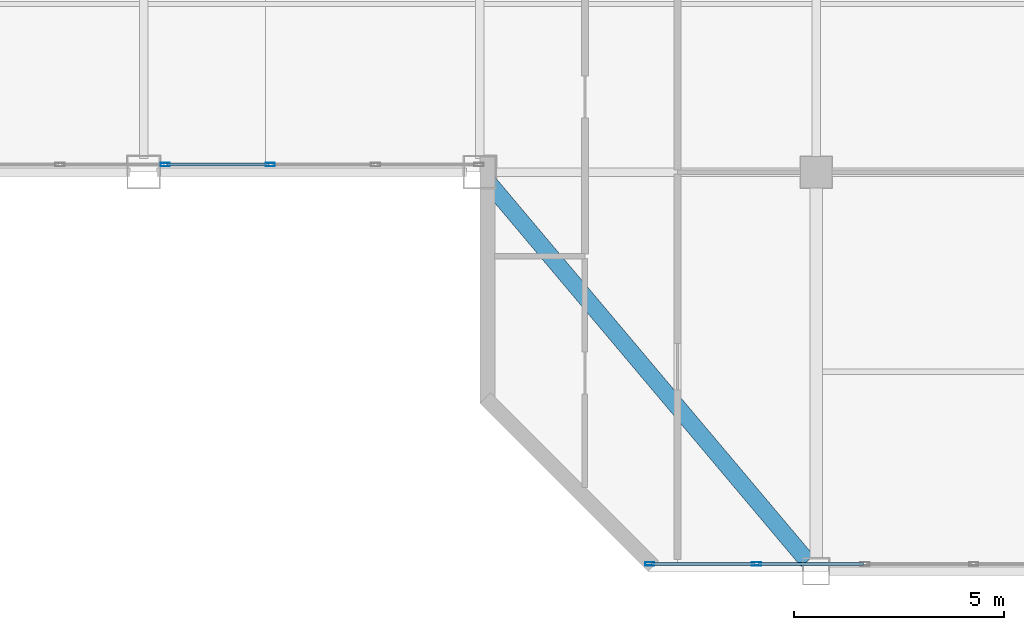
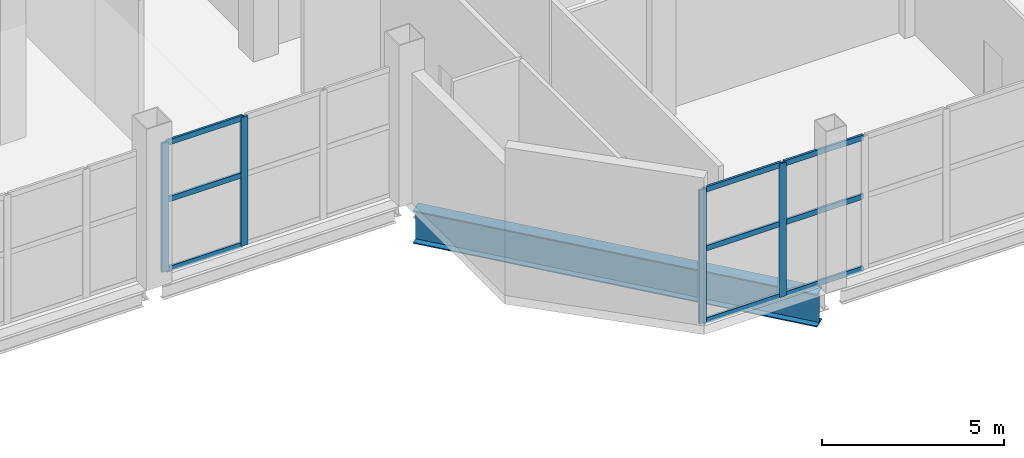
# One storey, part 3 of 16: 13 members, 1 beam, 2 elements without a shape of their own.
"""IFC4 building model written with IfcOpenShell, lengths in metres."""

from ifc_helpers import new_model, si_unit, direction, frame, origin, origin_2d, place, context, subcontext, project, spatial, hollow_rectangle, i_section, extrude, material, layer, layer_set, material_profile, profile_set, type_object, element, aggregate, save


model = new_model("IFC4")

# Units and contexts
model_context = context("Model", 3, precision=1e-05, world=origin(), true_north=direction((0.0, 1.0)))
body_context = subcontext(model_context, "Body", "Model", "MODEL_VIEW")
ifc_project = project(units=[si_unit("LENGTHUNIT", "METRE"), si_unit("AREAUNIT", "SQUARE_METRE"), si_unit("VOLUMEUNIT", "CUBIC_METRE"), si_unit("PLANEANGLEUNIT", "RADIAN"), si_unit("MASSUNIT", "GRAM", prefix="KILO")], contexts=[model_context])

# Site, building, storey
site_placement = place(None, origin())
site = spatial("IfcSite", under=ifc_project, at=site_placement, CompositionType="ELEMENT")
building_placement = place(site_placement, origin())
building = spatial("IfcBuilding", under=site, at=building_placement, Name="Qianrong Seaharbour Tower", CompositionType="ELEMENT")
storey_placement = place(building_placement, frame((0.0, 0.0, 378.39990234375)))
storey = spatial("IfcBuildingStorey", under=building, at=storey_placement, Name="L91", CompositionType="ELEMENT", Elevation=378.39990234375)

# Beam
ifc_material_1 = material(Name="Structural steel SN490B", Category="steel")
ifc_material_profile_1 = material_profile(ifc_material_1, i_section(OverallWidth=0.39990234375, OverallDepth=1.10009765625, WebThickness=0.02001953125, FlangeThickness=0.035888671875, at=origin_2d()), Name="BH1100x400x20x36")
ifc_profile_set_1 = profile_set([ifc_material_profile_1], Name="Structural steel SN490B")
beam_type = type_object("IfcBeamType", Name="BM-TG-1100", PredefinedType="BEAM", material=ifc_profile_set_1)
beam_placement = place(storey_placement, frame((48.2939453125, 18.744873046875, -0.83984375), z_axis=(-0.644151063101, 0.764898299061, 0.0), x_axis=(-0.764898299061, -0.644151063101, 0.0)))
element("IfcBeam", 1, at=beam_placement, inside=storey, type_object=beam_type, Name="L91 Chamfer Corner Spandrel Girder G6/GD", PredefinedType="BEAM", context=body_context, shape_type="SweptSolid", body=[
    extrude(i_section(OverallWidth=0.39990234375, OverallDepth=1.10009765625, WebThickness=0.02001953125, FlangeThickness=0.035888671875, at=origin_2d()), origin(), (0.0, 0.0, 1.0), 11.77978515625),
])

# Curtain wall, members
ifc_material_2 = material(Name="Anodised aluminium 6063-T6 and laminated low-e glass", Category="aluminium")
ifc_layer = layer(ifc_material_2, 0.239990234375)
ifc_layer_set = layer_set([ifc_layer], Name="Anodised aluminium 6063-T6 and laminated low-e glass")
curtain_wall_type = type_object("IfcCurtainWallType", Name="CW-SYS-6", PredefinedType="NOTDEFINED", material=ifc_layer_set)
curtain_wall_1_placement = place(storey_placement, origin())
curtain_wall_1 = element("IfcCurtainWall", 2, at=curtain_wall_1_placement, inside=storey, type_object=curtain_wall_type, Name="L91 TMD Exhibition Lantern Translucent Curtain Wall HARBOUR_RIBBON", PredefinedType="NOTDEFINED")
ifc_material_3 = material(Name="Extruded aluminium 6063-T6", Category="aluminium")
ifc_material_profile_2 = material_profile(ifc_material_3, hollow_rectangle(XDim=0.080078125, YDim=0.219970703125, WallThickness=0.0048828125, at=origin_2d()), Name="ALU-MUL-220x80x5")
ifc_profile_set_2 = profile_set([ifc_material_profile_2], Name="Extruded aluminium 6063-T6")
member_type_1 = type_object("IfcMemberType", Name="CW-MUL-220", PredefinedType="MULLION", material=ifc_profile_set_2)
member_1_placement = place(storey_placement, frame((35.514892578125, 28.179931640625, 0.0), z_axis=(0.0, 0.0, 1.0), x_axis=(0.0, -1.0, 0.0)))
member_1 = element("IfcMember", 3, at=member_1_placement, type_object=member_type_1, Name="CW-6 mullion 3", PredefinedType="MULLION", context=body_context, shape_type="SweptSolid", body=[
    extrude(hollow_rectangle(XDim=0.080078125, YDim=0.219970703125, WallThickness=0.0048828125, at=origin_2d()), origin(), (0.0, 0.0, 1.0), 4.31005859375),
])
member_2_placement = place(storey_placement, frame((33.012451171875, 28.179931640625, 0.0), z_axis=(0.0, 0.0, 1.0), x_axis=(0.0, -1.0, 0.0)))
member_2 = element("IfcMember", 4, at=member_2_placement, type_object=member_type_1, Name="CW-6 mullion 4", PredefinedType="MULLION", context=body_context, shape_type="SweptSolid", body=[
    extrude(hollow_rectangle(XDim=0.080078125, YDim=0.219970703125, WallThickness=0.0048828125, at=origin_2d()), origin(), (0.0, 0.0, 1.0), 4.31005859375),
])

curtain_wall_2_placement = place(storey_placement, origin())
curtain_wall_2 = element("IfcCurtainWall", 5, at=curtain_wall_2_placement, inside=storey, type_object=curtain_wall_type, Name="L91 TMD Exhibition Lantern Translucent Curtain Wall SOUTH_TIP", PredefinedType="NOTDEFINED")
member_3_placement = place(storey_placement, frame((47.083251953125, 18.679931640625, 0.0), z_axis=(0.0, 0.0, 1.0), x_axis=(0.0, -1.0, 0.0)))
member_3 = element("IfcMember", 6, at=member_3_placement, type_object=member_type_1, Name="CW-6 mullion 6", PredefinedType="MULLION", context=body_context, shape_type="SweptSolid", body=[
    extrude(hollow_rectangle(XDim=0.080078125, YDim=0.219970703125, WallThickness=0.0048828125, at=origin_2d()), origin(), (0.0, 0.0, 1.0), 4.460205078125),
])
member_4_placement = place(storey_placement, frame((44.5400390625, 18.679931640625, 0.0), z_axis=(0.0, 0.0, 1.0), x_axis=(0.0, -1.0, 0.0)))
member_4 = element("IfcMember", 7, at=member_4_placement, type_object=member_type_1, Name="CW-6 mullion 7", PredefinedType="MULLION", context=body_context, shape_type="SweptSolid", body=[
    extrude(hollow_rectangle(XDim=0.080078125, YDim=0.219970703125, WallThickness=0.0048828125, at=origin_2d()), origin(), (0.0, 0.0, 1.0), 4.460205078125),
])

# Member
ifc_material_profile_3 = material_profile(ifc_material_3, hollow_rectangle(XDim=0.070068359375, YDim=0.179931640625, WallThickness=0.00390625, at=origin_2d()), Name="ALU-TRN-180x70x4")
ifc_profile_set_3 = profile_set([ifc_material_profile_3], Name="Extruded aluminium 6063-T6")
member_type_2 = type_object("IfcMemberType", Name="CW-TRN-180", PredefinedType="USERDEFINED", material=ifc_profile_set_3)
member_5_placement = place(storey_placement, frame((35.47509765625, 28.179931640625, 0.03515625), z_axis=(-1.0, 0.0, 0.0), x_axis=(0.0, -1.0, 0.0)))
member_5 = element("IfcMember", 8, at=member_5_placement, type_object=member_type_2, Name="CW-6 transom 3.1", ObjectType="TRANSOM", PredefinedType="USERDEFINED", context=body_context, shape_type="SweptSolid", body=[
    extrude(hollow_rectangle(XDim=0.070068359375, YDim=0.179931640625, WallThickness=0.00390625, at=origin_2d()), origin(), (0.0, 0.0, 1.0), 2.422607421875),
])

member_6_placement = place(storey_placement, frame((35.47509765625, 28.179931640625, 2.37060546875), z_axis=(-1.0, 0.0, 0.0), x_axis=(0.0, -1.0, 0.0)))
member_6 = element("IfcMember", 9, at=member_6_placement, type_object=member_type_2, Name="CW-6 transom 3.2", ObjectType="TRANSOM", PredefinedType="USERDEFINED", context=body_context, shape_type="SweptSolid", body=[
    extrude(hollow_rectangle(XDim=0.070068359375, YDim=0.179931640625, WallThickness=0.00390625, at=origin_2d()), origin(), (0.0, 0.0, 1.0), 2.422607421875),
])

member_7_placement = place(storey_placement, frame((35.47509765625, 28.179931640625, 4.275146484375), z_axis=(-1.0, 0.0, 0.0), x_axis=(0.0, -1.0, 0.0)))
member_7 = element("IfcMember", 10, at=member_7_placement, type_object=member_type_2, Name="CW-6 transom 3.3", ObjectType="TRANSOM", PredefinedType="USERDEFINED", context=body_context, shape_type="SweptSolid", body=[
    extrude(hollow_rectangle(XDim=0.070068359375, YDim=0.179931640625, WallThickness=0.00390625, at=origin_2d()), origin(), (0.0, 0.0, 1.0), 2.422607421875),
])

aggregate(curtain_wall_1, [member_1, member_2, member_5, member_6, member_7])

member_8_placement = place(storey_placement, frame((49.626708984375, 18.679931640625, 0.03515625), z_axis=(-1.0, 0.0, 0.0), x_axis=(0.0, -1.0, 0.0)))
member_8 = element("IfcMember", 11, at=member_8_placement, type_object=member_type_2, Name="CW-6 transom 5.1", ObjectType="TRANSOM", PredefinedType="USERDEFINED", context=body_context, shape_type="SweptSolid", body=[
    extrude(hollow_rectangle(XDim=0.070068359375, YDim=0.179931640625, WallThickness=0.00390625, at=origin_2d()), origin(), (0.0, 0.0, 1.0), 2.50341796875),
])

member_9_placement = place(storey_placement, frame((49.626708984375, 18.679931640625, 2.453125), z_axis=(-1.0, 0.0, 0.0), x_axis=(0.0, -1.0, 0.0)))
member_9 = element("IfcMember", 12, at=member_9_placement, type_object=member_type_2, Name="CW-6 transom 5.2", ObjectType="TRANSOM", PredefinedType="USERDEFINED", context=body_context, shape_type="SweptSolid", body=[
    extrude(hollow_rectangle(XDim=0.070068359375, YDim=0.179931640625, WallThickness=0.00390625, at=origin_2d()), origin(), (0.0, 0.0, 1.0), 2.50341796875),
])

member_10_placement = place(storey_placement, frame((49.626708984375, 18.679931640625, 4.425048828125), z_axis=(-1.0, 0.0, 0.0), x_axis=(0.0, -1.0, 0.0)))
member_10 = element("IfcMember", 13, at=member_10_placement, type_object=member_type_2, Name="CW-6 transom 5.3", ObjectType="TRANSOM", PredefinedType="USERDEFINED", context=body_context, shape_type="SweptSolid", body=[
    extrude(hollow_rectangle(XDim=0.070068359375, YDim=0.179931640625, WallThickness=0.00390625, at=origin_2d()), origin(), (0.0, 0.0, 1.0), 2.50341796875),
])

member_11_placement = place(storey_placement, frame((47.043212890625, 18.679931640625, 0.03515625), z_axis=(-1.0, 0.0, 0.0), x_axis=(0.0, -1.0, 0.0)))
member_11 = element("IfcMember", 14, at=member_11_placement, type_object=member_type_2, Name="CW-6 transom 6.1", ObjectType="TRANSOM", PredefinedType="USERDEFINED", context=body_context, shape_type="SweptSolid", body=[
    extrude(hollow_rectangle(XDim=0.070068359375, YDim=0.179931640625, WallThickness=0.00390625, at=origin_2d()), origin(), (0.0, 0.0, 1.0), 2.463134765625),
])

member_12_placement = place(storey_placement, frame((47.043212890625, 18.679931640625, 2.453125), z_axis=(-1.0, 0.0, 0.0), x_axis=(0.0, -1.0, 0.0)))
member_12 = element("IfcMember", 15, at=member_12_placement, type_object=member_type_2, Name="CW-6 transom 6.2", ObjectType="TRANSOM", PredefinedType="USERDEFINED", context=body_context, shape_type="SweptSolid", body=[
    extrude(hollow_rectangle(XDim=0.070068359375, YDim=0.179931640625, WallThickness=0.00390625, at=origin_2d()), origin(), (0.0, 0.0, 1.0), 2.463134765625),
])

member_13_placement = place(storey_placement, frame((47.043212890625, 18.679931640625, 4.425048828125), z_axis=(-1.0, 0.0, 0.0), x_axis=(0.0, -1.0, 0.0)))
member_13 = element("IfcMember", 16, at=member_13_placement, type_object=member_type_2, Name="CW-6 transom 6.3", ObjectType="TRANSOM", PredefinedType="USERDEFINED", context=body_context, shape_type="SweptSolid", body=[
    extrude(hollow_rectangle(XDim=0.070068359375, YDim=0.179931640625, WallThickness=0.00390625, at=origin_2d()), origin(), (0.0, 0.0, 1.0), 2.463134765625),
])

aggregate(curtain_wall_2, [member_3, member_4, member_8, member_9, member_10, member_11, member_12, member_13])

save(model, "model.ifc")
